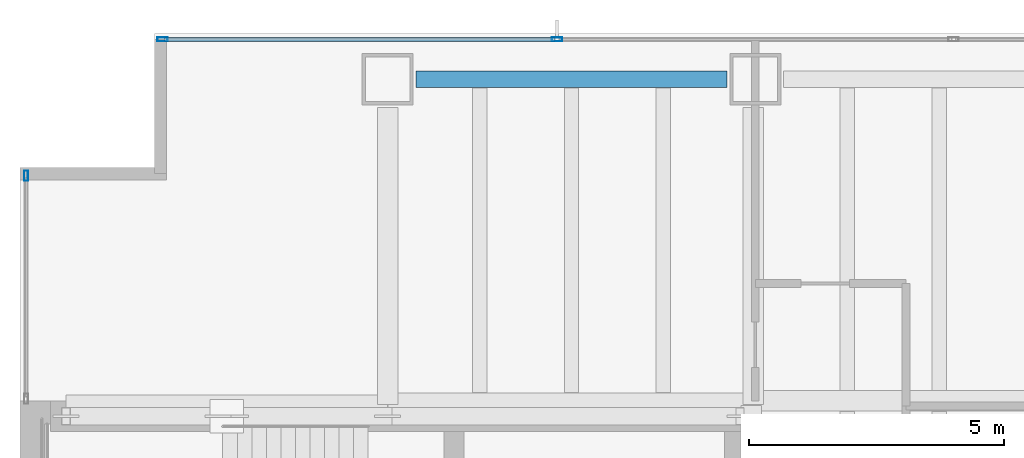
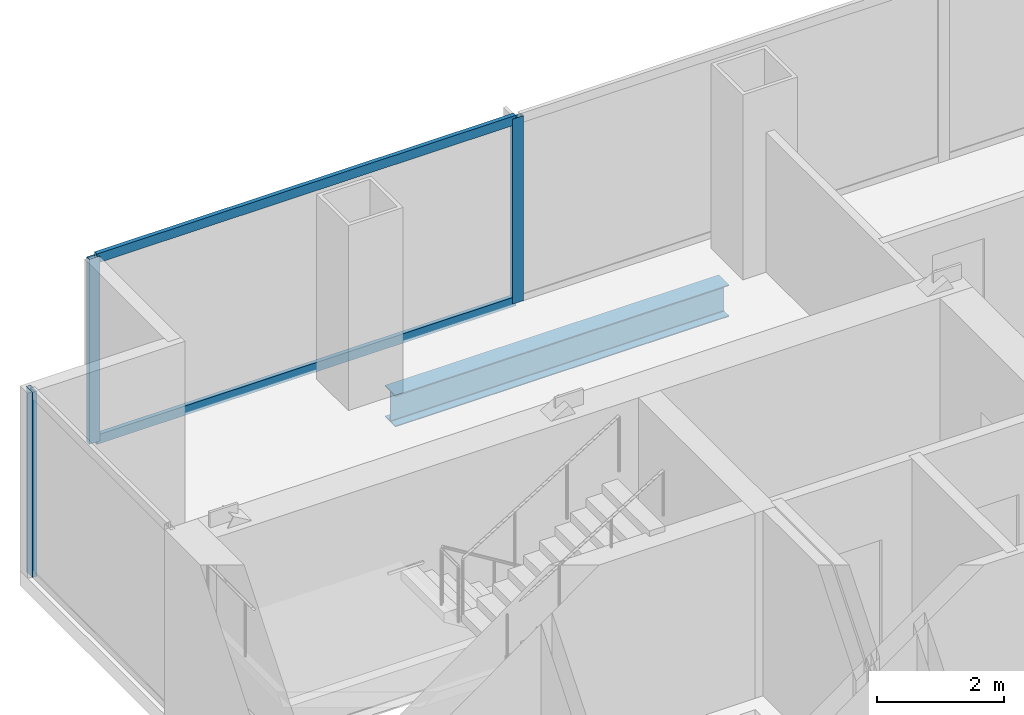
# One storey, part 16 of 25: 5 members, 1 beam, 2 elements without a shape of their own.
"""IFC4 building model written with IfcOpenShell, lengths in metres."""

from ifc_helpers import new_model, si_unit, direction, frame, origin, origin_2d, place, context, subcontext, project, spatial, hollow_rectangle, i_section, extrude, material, material_profile, profile_set, type_object, element, aggregate, save


model = new_model("IFC4")

# Units and contexts
model_context = context("Model", 3, precision=1e-05, world=origin(), true_north=direction((0.0, 1.0)))
body_context = subcontext(model_context, "Body", "Model", "MODEL_VIEW")
ifc_project = project(units=[si_unit("LENGTHUNIT", "METRE"), si_unit("AREAUNIT", "SQUARE_METRE"), si_unit("VOLUMEUNIT", "CUBIC_METRE"), si_unit("PLANEANGLEUNIT", "RADIAN"), si_unit("MASSUNIT", "GRAM", prefix="KILO")], contexts=[model_context])

# Site, building, storey
site_placement = place(None, origin())
site = spatial("IfcSite", under=ifc_project, at=site_placement, CompositionType="ELEMENT")
building_placement = place(site_placement, origin())
building = spatial("IfcBuilding", under=site, at=building_placement, Name="Cobrela Telecom Tower", CompositionType="ELEMENT")
storey_placement = place(building_placement, frame((0.0, 0.0, 46.550048828125)))
storey = spatial("IfcBuildingStorey", under=building, at=storey_placement, Name="L11", CompositionType="ELEMENT", Elevation=46.550048828125)

# Beam
ifc_material_1 = material(Name="Steel ASTM A992 Grade 50", Category="steel")
ifc_material_profile_1 = material_profile(ifc_material_1, i_section(OverallWidth=0.324951171875, OverallDepth=0.612060546875, WebThickness=0.0126953125, FlangeThickness=0.01904296875, FilletRadius=0.014892578125, at=origin_2d()), Name="W24X104")
ifc_profile_set_1 = profile_set([ifc_material_profile_1], Name="Steel ASTM A992 Grade 50")
beam_type = type_object("IfcBeamType", Name="BM-SPAND-02", PredefinedType="SPANDREL", material=ifc_profile_set_1)
beam_placement = place(storey_placement, frame((7.7548828125, 42.300048828125, -0.5859375), z_axis=(1.0, 0.0, 0.0), x_axis=(0.0, 1.0, 0.0)))
element("IfcBeam", 1, at=beam_placement, inside=storey, type_object=beam_type, Name="L11 Perimeter Spandrel X29", PredefinedType="SPANDREL", context=body_context, shape_type="SweptSolid", body=[
    extrude(i_section(OverallWidth=0.324951171875, OverallDepth=0.612060546875, WebThickness=0.0126953125, FlangeThickness=0.01904296875, FilletRadius=0.014892578125, at=origin_2d()), origin(), (0.0, 0.0, 1.0), 6.090087890625),
])

# Curtain wall, member
ifc_material_2 = material(Name="Anodized Bronze Aluminium 6063-T6", Category="aluminium")
curtain_wall_type = type_object("IfcCurtainWallType", Name="CW-SYS-DATA", PredefinedType="USERDEFINED", material=ifc_material_2)
curtain_wall_1_placement = place(storey_placement, origin())
curtain_wall_1 = element("IfcCurtainWall", 2, at=curtain_wall_1_placement, inside=storey, type_object=curtain_wall_type, Name="L11 Unitised Bronze Curtain Wall 04", ObjectType="UNITISED CURTAIN WALL", PredefinedType="USERDEFINED")
ifc_material_profile_2 = material_profile(ifc_material_2, hollow_rectangle(XDim=0.080078125, YDim=0.199951171875, WallThickness=0.00390625, at=origin_2d()), Name="ALU 80x200x4")
ifc_profile_set_2 = profile_set([ifc_material_profile_2], Name="Anodized Bronze Aluminium 6063-T6")
member_type_1 = type_object("IfcMemberType", Name="CW-SYS-DATA-MUL", PredefinedType="MULLION", material=ifc_profile_set_2)
member_1_placement = place(storey_placement, frame((0.1201171875, 40.409912109375, 0.0), z_axis=(0.0, 0.0, 1.0), x_axis=(-1.0, 0.0, 0.0)))
member_1 = element("IfcMember", 3, at=member_1_placement, type_object=member_type_1, Name="CW-DATA mullion 2", PredefinedType="MULLION", context=body_context, shape_type="SweptSolid", body=[
    extrude(hollow_rectangle(XDim=0.080078125, YDim=0.199951171875, WallThickness=0.00390625, at=origin_2d()), origin(), (0.0, 0.0, 1.0), 3.570068359375),
])
aggregate(curtain_wall_1, [member_1])

# Curtain wall, members
curtain_wall_2_placement = place(storey_placement, origin())
curtain_wall_2 = element("IfcCurtainWall", 4, at=curtain_wall_2_placement, inside=storey, type_object=curtain_wall_type, Name="L11 Unitised Bronze Curtain Wall 07", ObjectType="UNITISED CURTAIN WALL", PredefinedType="USERDEFINED")
member_2_placement = place(storey_placement, frame((2.7900390625, 43.080078125, 0.0), z_axis=(0.0, 0.0, 1.0), x_axis=(0.0, 1.0, 0.0)))
member_2 = element("IfcMember", 5, at=member_2_placement, type_object=member_type_1, Name="CW-DATA mullion 1", PredefinedType="MULLION", context=body_context, shape_type="SweptSolid", body=[
    extrude(hollow_rectangle(XDim=0.080078125, YDim=0.199951171875, WallThickness=0.00390625, at=origin_2d()), origin(), (0.0, 0.0, 1.0), 3.570068359375),
])
member_3_placement = place(storey_placement, frame((10.5166015625, 43.080078125, 0.0), z_axis=(0.0, 0.0, 1.0), x_axis=(0.0, 1.0, 0.0)))
member_3 = element("IfcMember", 6, at=member_3_placement, type_object=member_type_1, Name="CW-DATA mullion 2", PredefinedType="MULLION", context=body_context, shape_type="SweptSolid", body=[
    extrude(hollow_rectangle(XDim=0.080078125, YDim=0.199951171875, WallThickness=0.00390625, at=origin_2d()), origin(), (0.0, 0.0, 1.0), 3.570068359375),
])
ifc_material_profile_3 = material_profile(ifc_material_2, hollow_rectangle(XDim=0.074951171875, YDim=0.179931640625, WallThickness=0.00390625, at=origin_2d()), Name="ALU 75x180x4")
ifc_profile_set_3 = profile_set([ifc_material_profile_3], Name="Anodized Bronze Aluminium 6063-T6")
member_type_2 = type_object("IfcMemberType", Name="CW-SYS-DATA-TRN", PredefinedType="USERDEFINED", material=ifc_profile_set_3)
member_4_placement = place(storey_placement, frame((2.830078125, 43.080078125, 0.037353515625), z_axis=(1.0, 0.0, 0.0), x_axis=(0.0, 1.0, 0.0)))
member_4 = element("IfcMember", 7, at=member_4_placement, type_object=member_type_2, Name="CW-DATA transom 1.1", ObjectType="TRANSOM", PredefinedType="USERDEFINED", context=body_context, shape_type="SweptSolid", body=[
    extrude(hollow_rectangle(XDim=0.074951171875, YDim=0.179931640625, WallThickness=0.00390625, at=origin_2d()), origin(), (0.0, 0.0, 1.0), 7.646484375),
])
member_5_placement = place(storey_placement, frame((2.830078125, 43.080078125, 3.532470703125), z_axis=(1.0, 0.0, 0.0), x_axis=(0.0, 1.0, 0.0)))
member_5 = element("IfcMember", 8, at=member_5_placement, type_object=member_type_2, Name="CW-DATA transom 1.2", ObjectType="TRANSOM", PredefinedType="USERDEFINED", context=body_context, shape_type="SweptSolid", body=[
    extrude(hollow_rectangle(XDim=0.074951171875, YDim=0.179931640625, WallThickness=0.00390625, at=origin_2d()), origin(), (0.0, 0.0, 1.0), 7.646484375),
])
aggregate(curtain_wall_2, [member_2, member_3, member_4, member_5])

save(model, "model.ifc")
